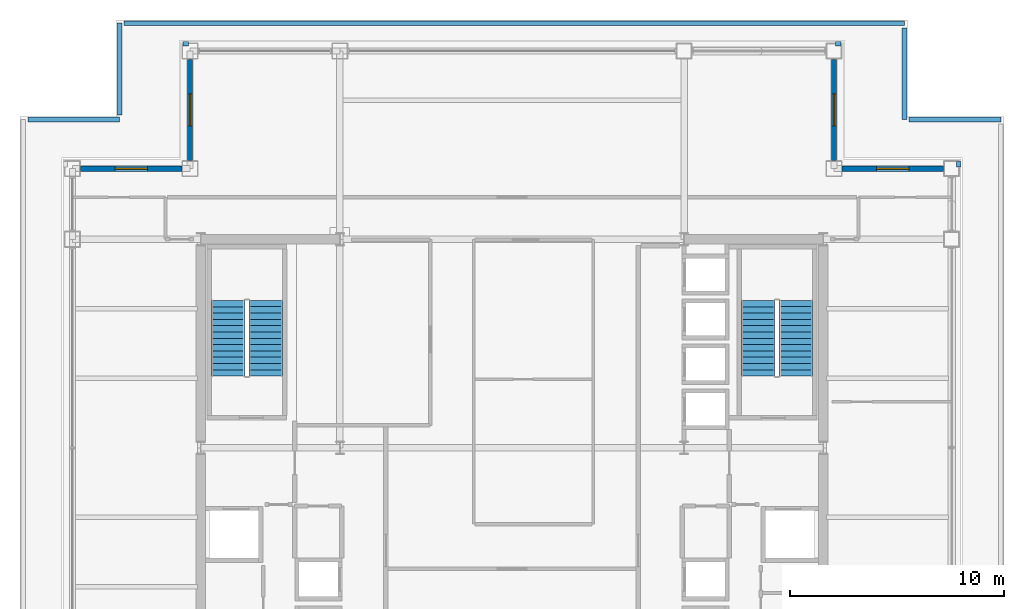
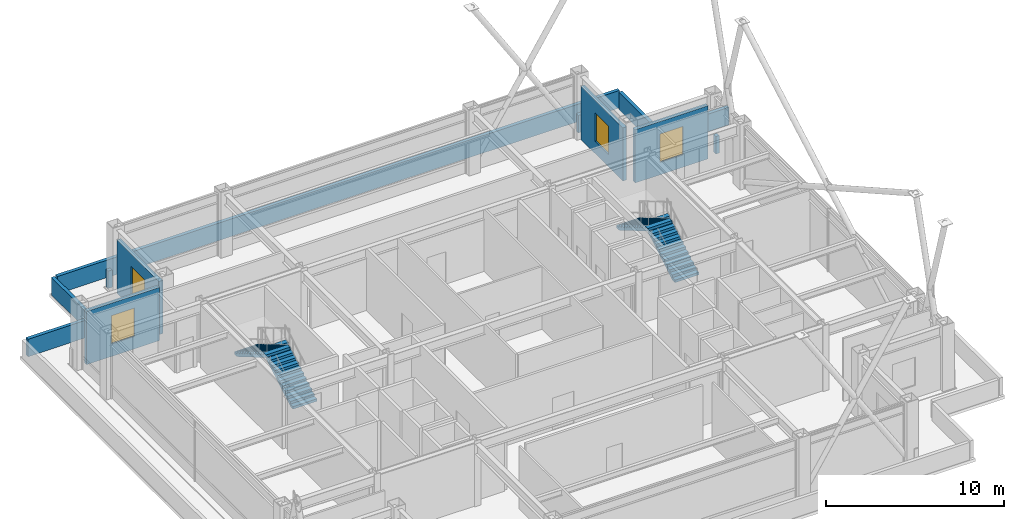
# One storey, part 23 of 24: 12 walls, 4 stair flights, 4 windows, 4 openings, 2 elements without a shape of their own.
"""IFC4 building model written with IfcOpenShell, lengths in metres."""

from ifc_helpers import new_model, si_unit, direction, frame, frame_2d, origin, place, context, subcontext, project, spatial, polyline, rectangle, outline, extrude, material, layer, layer_set, type_object, element, fill, aggregate, save


model = new_model("IFC4")

# Units and contexts
model_context = context("Model", 3, precision=1e-05, world=origin(), true_north=direction((0.0, 1.0)))
body_context = subcontext(model_context, "Body", "Model", "MODEL_VIEW")
ifc_project = project(units=[si_unit("LENGTHUNIT", "METRE"), si_unit("AREAUNIT", "SQUARE_METRE"), si_unit("VOLUMEUNIT", "CUBIC_METRE"), si_unit("PLANEANGLEUNIT", "RADIAN"), si_unit("MASSUNIT", "GRAM", prefix="KILO")], contexts=[model_context])

# Site, building, storey
site_placement = place(None, origin())
site = spatial("IfcSite", under=ifc_project, at=site_placement, CompositionType="ELEMENT")
building_placement = place(site_placement, origin())
building = spatial("IfcBuilding", under=site, at=building_placement, Name="Brelmoor Portico Tower", CompositionType="ELEMENT")
storey_placement = place(building_placement, frame((0.0, 0.0, 150.60009765625)))
storey = spatial("IfcBuildingStorey", under=building, at=storey_placement, Name="L39", CompositionType="ELEMENT", Elevation=150.60009765625)

# Wall, opening, window
ifc_material_1 = material(Name="Precast Concrete C40 Insulated Facade Wall", Category="concrete")
ifc_layer_1 = layer(ifc_material_1, 0.25)
ifc_layer_set_1 = layer_set([ifc_layer_1], Name="Precast Concrete C40 Insulated Facade Wall")
wall_type_1 = type_object("IfcWallType", Name="WL-EXT-250", PredefinedType="STANDARD", material=ifc_layer_set_1)
wall_1_placement = place(storey_placement, frame((-20.1650390625, 13.050048828125, 0.0), z_axis=(0.0, 0.0, 1.0), x_axis=(1.0, 0.0, 0.0)))
wall_1 = element("IfcWall", 1, at=wall_1_placement, inside=storey, type_object=wall_type_1, Name="L39 Corner Notch Facade Wall NNWH1", PredefinedType="STANDARD", context=body_context, shape_type="SweptSolid", body=[
    extrude(rectangle(XDim=4.72998046875, YDim=0.25, at=frame_2d((2.364990234375, 0.0))), origin(), (0.0, 0.0, 1.0), 3.64990234375),
])
opening_1_placement = place(wall_1_placement, frame((1.614990234375, 0.0, 0.85009765625)))
opening_1 = element("IfcOpeningElement", 2, at=opening_1_placement, cuts=wall_1, Name="Opening W-01B", PredefinedType="OPENING", context=body_context, shape_type="SweptSolid", body=[
    extrude(rectangle(XDim=1.5, YDim=1.949951171875, at=frame_2d((0.75, 0.97509765625))), frame((0.0, 0.135009765625, 0.0), z_axis=(0.0, -1.0, 0.0), x_axis=(1.0, 0.0, 0.0)), (0.0, 0.0, 1.0), 0.27001953125),
])
ifc_material_2 = material(Name="Thermally Broken Aluminium Low-E Window", Category="aluminium")
window_type = type_object("IfcWindowType", Name="WN-NOTCH-1500x1950", PartitioningType="SINGLE_PANEL", PredefinedType="WINDOW", material=ifc_material_2)
window_1_placement = place(opening_1_placement, origin())
window_1 = element("IfcWindow", 3, at=window_1_placement, inside=storey, type_object=window_type, Name="L39 Corner Notch Window NNWH1", OverallHeight=1.949951171875, OverallWidth=1.5, PartitioningType="SINGLE_PANEL", PredefinedType="WINDOW", context=body_context, shape_type="SweptSolid", body=[
    extrude(rectangle(XDim=1.5, YDim=1.949951171875, at=frame_2d((0.75, 0.97509765625))), frame((0.0, 0.030029296875, 0.0), z_axis=(0.0, -1.0, 0.0), x_axis=(1.0, 0.0, 0.0)), (0.0, 0.0, 1.0), 0.06005859375),
])
fill(opening_1, window_1)

wall_2_placement = place(storey_placement, frame((-15.050048828125, 13.43505859375, 0.0), z_axis=(0.0, 0.0, 1.0), x_axis=(0.0, 1.0, 0.0)))
wall_2 = element("IfcWall", 4, at=wall_2_placement, inside=storey, type_object=wall_type_1, Name="L39 Corner Notch Facade Wall NNWV1", PredefinedType="STANDARD", context=body_context, shape_type="SweptSolid", body=[
    extrude(rectangle(XDim=4.72998046875, YDim=0.25, at=frame_2d((2.364990234375, 0.0))), origin(), (0.0, 0.0, 1.0), 3.64990234375),
])
opening_2_placement = place(wall_2_placement, frame((1.614990234375, 0.0, 0.85009765625)))
opening_2 = element("IfcOpeningElement", 5, at=opening_2_placement, cuts=wall_2, Name="Opening W-01B", PredefinedType="OPENING", context=body_context, shape_type="SweptSolid", body=[
    extrude(rectangle(XDim=1.5, YDim=1.949951171875, at=frame_2d((0.75, 0.97509765625))), frame((0.0, 0.135009765625, 0.0), z_axis=(0.0, -1.0, 0.0), x_axis=(1.0, 0.0, 0.0)), (0.0, 0.0, 1.0), 0.27001953125),
])
window_2_placement = place(opening_2_placement, origin())
window_2 = element("IfcWindow", 6, at=window_2_placement, inside=storey, type_object=window_type, Name="L39 Corner Notch Window NNWV1", OverallHeight=1.949951171875, OverallWidth=1.5, PartitioningType="SINGLE_PANEL", PredefinedType="WINDOW", context=body_context, shape_type="SweptSolid", body=[
    extrude(rectangle(XDim=1.5, YDim=1.949951171875, at=frame_2d((0.75, 0.97509765625))), frame((0.0, 0.030029296875, 0.0), z_axis=(0.0, -1.0, 0.0), x_axis=(1.0, 0.0, 0.0)), (0.0, 0.0, 1.0), 0.06005859375),
])
fill(opening_2, window_2)

wall_3_placement = place(storey_placement, frame((15.43505859375, 13.050048828125, 0.0), z_axis=(0.0, 0.0, 1.0), x_axis=(1.0, 0.0, 0.0)))
wall_3 = element("IfcWall", 7, at=wall_3_placement, inside=storey, type_object=wall_type_1, Name="L39 Corner Notch Facade Wall NNEH1", PredefinedType="STANDARD", context=body_context, shape_type="SweptSolid", body=[
    extrude(rectangle(XDim=4.72998046875, YDim=0.25, at=frame_2d((2.364990234375, 0.0))), origin(), (0.0, 0.0, 1.0), 3.64990234375),
])
opening_3_placement = place(wall_3_placement, frame((1.614990234375, 0.0, 0.85009765625)))
opening_3 = element("IfcOpeningElement", 8, at=opening_3_placement, cuts=wall_3, Name="Opening W-01B", PredefinedType="OPENING", context=body_context, shape_type="SweptSolid", body=[
    extrude(rectangle(XDim=1.5, YDim=1.949951171875, at=frame_2d((0.75, 0.97509765625))), frame((0.0, 0.135009765625, 0.0), z_axis=(0.0, -1.0, 0.0), x_axis=(1.0, 0.0, 0.0)), (0.0, 0.0, 1.0), 0.27001953125),
])
window_3_placement = place(opening_3_placement, origin())
window_3 = element("IfcWindow", 9, at=window_3_placement, inside=storey, type_object=window_type, Name="L39 Corner Notch Window NNEH1", OverallHeight=1.949951171875, OverallWidth=1.5, PartitioningType="SINGLE_PANEL", PredefinedType="WINDOW", context=body_context, shape_type="SweptSolid", body=[
    extrude(rectangle(XDim=1.5, YDim=1.949951171875, at=frame_2d((0.75, 0.97509765625))), frame((0.0, 0.030029296875, 0.0), z_axis=(0.0, -1.0, 0.0), x_axis=(1.0, 0.0, 0.0)), (0.0, 0.0, 1.0), 0.06005859375),
])
fill(opening_3, window_3)

wall_4_placement = place(storey_placement, frame((15.050048828125, 13.43505859375, 0.0), z_axis=(0.0, 0.0, 1.0), x_axis=(0.0, 1.0, 0.0)))
wall_4 = element("IfcWall", 10, at=wall_4_placement, inside=storey, type_object=wall_type_1, Name="L39 Corner Notch Facade Wall NNEV1", PredefinedType="STANDARD", context=body_context, shape_type="SweptSolid", body=[
    extrude(rectangle(XDim=4.72998046875, YDim=0.25, at=frame_2d((2.364990234375, 0.0))), origin(), (0.0, 0.0, 1.0), 3.64990234375),
])
opening_4_placement = place(wall_4_placement, frame((1.614990234375, 0.0, 0.85009765625)))
opening_4 = element("IfcOpeningElement", 11, at=opening_4_placement, cuts=wall_4, Name="Opening W-01B", PredefinedType="OPENING", context=body_context, shape_type="SweptSolid", body=[
    extrude(rectangle(XDim=1.5, YDim=1.949951171875, at=frame_2d((0.75, 0.97509765625))), frame((0.0, 0.135009765625, 0.0), z_axis=(0.0, -1.0, 0.0), x_axis=(1.0, 0.0, 0.0)), (0.0, 0.0, 1.0), 0.27001953125),
])
window_4_placement = place(opening_4_placement, origin())
window_4 = element("IfcWindow", 12, at=window_4_placement, inside=storey, type_object=window_type, Name="L39 Corner Notch Window NNEV1", OverallHeight=1.949951171875, OverallWidth=1.5, PartitioningType="SINGLE_PANEL", PredefinedType="WINDOW", context=body_context, shape_type="SweptSolid", body=[
    extrude(rectangle(XDim=1.5, YDim=1.949951171875, at=frame_2d((0.75, 0.97509765625))), frame((0.0, 0.030029296875, 0.0), z_axis=(0.0, -1.0, 0.0), x_axis=(1.0, 0.0, 0.0)), (0.0, 0.0, 1.0), 0.06005859375),
])
fill(opening_4, window_4)

# Walls
ifc_material_3 = material(Name="Concrete C40 Parapet Upstand", Category="concrete")
ifc_layer_2 = layer(ifc_material_3, 0.219970703125)
ifc_layer_set_2 = layer_set([ifc_layer_2], Name="Concrete C40 Parapet Upstand")
wall_type_2 = type_object("IfcWallType", Name="WL-PARAPET-220", PredefinedType="PARAPET", material=ifc_layer_set_2)
for number, where, z_axis, x_axis, name in (
    (13, (-15.389892578125, 18.889892578125, 0.0), (0.0, 0.0, 1.0), (1.0, 0.0, 0.0), "L39 Chamfer Vertex Parapet Pier NW1"),
    (14, (15.1201171875, 18.889892578125, 0.0), (0.0, 0.0, 1.0), (1.0, 0.0, 0.0), "L39 Chamfer Vertex Parapet Pier NE1"),
    (15, (20.889892578125, 13.1201171875, 0.0), (0.0, 0.0, 1.0), (0.0, 1.0, 0.0), "L39 Chamfer Vertex Parapet Pier NE2"),
):
    element("IfcWall", number, at=place(storey_placement, frame(where, z_axis=z_axis, x_axis=x_axis)), inside=storey, type_object=wall_type_2, Name=name, PredefinedType="PARAPET", context=body_context, shape_type="SweptSolid", body=[
        extrude(rectangle(XDim=0.269775390625, YDim=0.219970703125, at=frame_2d((0.134765625, 0.0))), origin(), (0.0, 0.0, 1.0), 1.199951171875),
    ])
wall_5_placement = place(storey_placement, frame((22.85009765625, 15.35009765625, 0.0), z_axis=(0.0, 0.0, 1.0), x_axis=(-1.0, 0.0, 0.0)))
element("IfcWall", 16, at=wall_5_placement, inside=storey, type_object=wall_type_2, Name="L39 Roof Parapet Wall 05", PredefinedType="PARAPET", context=body_context, shape_type="SweptSolid", body=[
    extrude(rectangle(XDim=4.280029296875, YDim=0.219970703125, at=frame_2d((2.14013671875, 0.0))), origin(), (0.0, 0.0, 1.0), 1.199951171875),
])
wall_6_placement = place(storey_placement, frame((18.35009765625, 15.35009765625, 0.0), z_axis=(0.0, 0.0, 1.0), x_axis=(0.0, 1.0, 0.0)))
element("IfcWall", 17, at=wall_6_placement, inside=storey, type_object=wall_type_2, Name="L39 Roof Parapet Wall 06", PredefinedType="PARAPET", context=body_context, shape_type="SweptSolid", body=[
    extrude(rectangle(XDim=4.27978515625, YDim=0.219970703125, at=frame_2d((2.139892578125, 0.0))), origin(), (0.0, 0.0, 1.0), 1.199951171875),
])
wall_7_placement = place(storey_placement, frame((18.35009765625, 19.85009765625, 0.0), z_axis=(0.0, 0.0, 1.0), x_axis=(-1.0, 0.0, 0.0)))
element("IfcWall", 18, at=wall_7_placement, inside=storey, type_object=wall_type_2, Name="L39 Roof Parapet Wall 07", PredefinedType="PARAPET", context=body_context, shape_type="SweptSolid", body=[
    extrude(rectangle(XDim=36.47998046875, YDim=0.219970703125, at=frame_2d((18.239990234375, 0.0))), origin(), (0.0, 0.0, 1.0), 1.199951171875),
])
wall_8_placement = place(storey_placement, frame((-18.35009765625, 19.85009765625, 0.0), z_axis=(0.0, 0.0, 1.0), x_axis=(0.0, -1.0, 0.0)))
element("IfcWall", 19, at=wall_8_placement, inside=storey, type_object=wall_type_2, Name="L39 Roof Parapet Wall 08", PredefinedType="PARAPET", context=body_context, shape_type="SweptSolid", body=[
    extrude(rectangle(XDim=4.280029296875, YDim=0.219970703125, at=frame_2d((2.14013671875, 0.0))), origin(), (0.0, 0.0, 1.0), 1.199951171875),
])
wall_9_placement = place(storey_placement, frame((-18.35009765625, 15.35009765625, 0.0), z_axis=(0.0, 0.0, 1.0), x_axis=(-1.0, 0.0, 0.0)))
element("IfcWall", 20, at=wall_9_placement, inside=storey, type_object=wall_type_2, Name="L39 Roof Parapet Wall 09", PredefinedType="PARAPET", context=body_context, shape_type="SweptSolid", body=[
    extrude(rectangle(XDim=4.27978515625, YDim=0.219970703125, at=frame_2d((2.139892578125, 0.0))), origin(), (0.0, 0.0, 1.0), 1.199951171875),
])

# Stair, stair flights
ifc_material_4 = material(Name="Concrete C40", Category="concrete")
stair_type_1 = type_object("IfcStairType", Name="ST-CORE-W", PredefinedType="HALF_TURN_STAIR", material=ifc_material_4)
stair_1_placement = place(storey_placement, origin())
stair_1 = element("IfcStair", 21, at=stair_1_placement, inside=storey, type_object=stair_type_1, Name="L39 Protected Core Exit Stair ST-W", PredefinedType="HALF_TURN_STAIR")
stair_flight_type = type_object("IfcStairFlightType", Name="SF-CORE-1850", PredefinedType="STRAIGHT", material=ifc_material_4)
stair_flight_1_placement = place(storey_placement, frame((-11.510009765625, 3.35009765625, 0.0), z_axis=(0.0, 0.0, 1.0), x_axis=(0.0, 1.0, 0.0)))
stair_flight_1 = element("IfcStairFlight", 22, at=stair_flight_1_placement, type_object=stair_flight_type, Name="ST-W flight 1", NumberOfRisers=13, NumberOfTreads=12, PredefinedType="STRAIGHT", RiserHeight=0.173076923, TreadLength=0.295, context=body_context, shape_type="SweptSolid", body=[
    extrude(outline(polyline([(0.0, 0.0), (0.0, 0.173095703125), (0.294921875, 0.173095703125), (0.294921875, 0.34619140625), (0.590087890625, 0.34619140625), (0.590087890625, 0.519287109375), (0.885009765625, 0.519287109375), (0.885009765625, 0.6923828125), (1.179931640625, 0.6923828125), (1.179931640625, 0.865478515625), (1.47509765625, 0.865478515625), (1.47509765625, 1.03857421875), (1.77001953125, 1.03857421875), (1.77001953125, 1.21142578125), (2.06494140625, 1.21142578125), (2.06494140625, 1.384521484375), (2.360107421875, 1.384521484375), (2.360107421875, 1.5576171875), (2.655029296875, 1.5576171875), (2.655029296875, 1.730712890625), (2.949951171875, 1.730712890625), (2.949951171875, 1.90380859375), (3.2451171875, 1.90380859375), (3.2451171875, 2.076904296875), (3.5400390625, 2.076904296875), (3.5400390625, 2.25), (3.5400390625, 1.903076171875), (0.296142578125, 0.0), (0.0, 0.0)])), frame((0.0, 0.780029296875, 0.0), z_axis=(0.0, -1.0, 0.0), x_axis=(1.0, 0.0, 0.0)), (0.0, 0.0, 1.0), 1.56005859375),
])
stair_flight_2_placement = place(storey_placement, frame((-13.27001953125, 6.889892578125, 2.25), z_axis=(0.0, 0.0, 1.0), x_axis=(0.0, -1.0, 0.0)))
stair_flight_2 = element("IfcStairFlight", 23, at=stair_flight_2_placement, type_object=stair_flight_type, Name="ST-W flight 2", NumberOfRisers=13, NumberOfTreads=12, PredefinedType="STRAIGHT", RiserHeight=0.173076923, TreadLength=0.295, context=body_context, shape_type="SweptSolid", body=[
    extrude(outline(polyline([(0.0, 0.0), (0.0, 0.173095703125), (0.294921875, 0.173095703125), (0.294921875, 0.34619140625), (0.590087890625, 0.34619140625), (0.590087890625, 0.519287109375), (0.885009765625, 0.519287109375), (0.885009765625, 0.6923828125), (1.179931640625, 0.6923828125), (1.179931640625, 0.865478515625), (1.47509765625, 0.865478515625), (1.47509765625, 1.03857421875), (1.77001953125, 1.03857421875), (1.77001953125, 1.21142578125), (2.06494140625, 1.21142578125), (2.06494140625, 1.384521484375), (2.360107421875, 1.384521484375), (2.360107421875, 1.5576171875), (2.655029296875, 1.5576171875), (2.655029296875, 1.730712890625), (2.949951171875, 1.730712890625), (2.949951171875, 1.90380859375), (3.2451171875, 1.90380859375), (3.2451171875, 2.076904296875), (3.5400390625, 2.076904296875), (3.5400390625, 2.25), (3.5400390625, 1.903076171875), (0.296142578125, 0.0), (0.0, 0.0)])), frame((0.0, 0.780029296875, 0.0), z_axis=(0.0, -1.0, 0.0), x_axis=(1.0, 0.0, 0.0)), (0.0, 0.0, 1.0), 1.56005859375),
])
aggregate(stair_1, [stair_flight_1, stair_flight_2])

stair_type_2 = type_object("IfcStairType", Name="ST-CORE-E", PredefinedType="HALF_TURN_STAIR", material=ifc_material_4)
stair_2_placement = place(storey_placement, origin())
stair_2 = element("IfcStair", 24, at=stair_2_placement, inside=storey, type_object=stair_type_2, Name="L39 Protected Core Exit Stair ST-E", PredefinedType="HALF_TURN_STAIR")
stair_flight_3_placement = place(storey_placement, frame((13.27001953125, 3.35009765625, 0.0), z_axis=(0.0, 0.0, 1.0), x_axis=(0.0, 1.0, 0.0)))
stair_flight_3 = element("IfcStairFlight", 25, at=stair_flight_3_placement, type_object=stair_flight_type, Name="ST-E flight 1", NumberOfRisers=13, NumberOfTreads=12, PredefinedType="STRAIGHT", RiserHeight=0.173076923, TreadLength=0.295, context=body_context, shape_type="SweptSolid", body=[
    extrude(outline(polyline([(0.0, 0.0), (0.0, 0.173095703125), (0.294921875, 0.173095703125), (0.294921875, 0.34619140625), (0.590087890625, 0.34619140625), (0.590087890625, 0.519287109375), (0.885009765625, 0.519287109375), (0.885009765625, 0.6923828125), (1.179931640625, 0.6923828125), (1.179931640625, 0.865478515625), (1.47509765625, 0.865478515625), (1.47509765625, 1.03857421875), (1.77001953125, 1.03857421875), (1.77001953125, 1.21142578125), (2.06494140625, 1.21142578125), (2.06494140625, 1.384521484375), (2.360107421875, 1.384521484375), (2.360107421875, 1.5576171875), (2.655029296875, 1.5576171875), (2.655029296875, 1.730712890625), (2.949951171875, 1.730712890625), (2.949951171875, 1.90380859375), (3.2451171875, 1.90380859375), (3.2451171875, 2.076904296875), (3.5400390625, 2.076904296875), (3.5400390625, 2.25), (3.5400390625, 1.903076171875), (0.296142578125, 0.0), (0.0, 0.0)])), frame((0.0, 0.780029296875, 0.0), z_axis=(0.0, -1.0, 0.0), x_axis=(1.0, 0.0, 0.0)), (0.0, 0.0, 1.0), 1.56005859375),
])
stair_flight_4_placement = place(storey_placement, frame((11.510009765625, 6.889892578125, 2.25), z_axis=(0.0, 0.0, 1.0), x_axis=(0.0, -1.0, 0.0)))
stair_flight_4 = element("IfcStairFlight", 26, at=stair_flight_4_placement, type_object=stair_flight_type, Name="ST-E flight 2", NumberOfRisers=13, NumberOfTreads=12, PredefinedType="STRAIGHT", RiserHeight=0.173076923, TreadLength=0.295, context=body_context, shape_type="SweptSolid", body=[
    extrude(outline(polyline([(0.0, 0.0), (0.0, 0.173095703125), (0.294921875, 0.173095703125), (0.294921875, 0.34619140625), (0.590087890625, 0.34619140625), (0.590087890625, 0.519287109375), (0.885009765625, 0.519287109375), (0.885009765625, 0.6923828125), (1.179931640625, 0.6923828125), (1.179931640625, 0.865478515625), (1.47509765625, 0.865478515625), (1.47509765625, 1.03857421875), (1.77001953125, 1.03857421875), (1.77001953125, 1.21142578125), (2.06494140625, 1.21142578125), (2.06494140625, 1.384521484375), (2.360107421875, 1.384521484375), (2.360107421875, 1.5576171875), (2.655029296875, 1.5576171875), (2.655029296875, 1.730712890625), (2.949951171875, 1.730712890625), (2.949951171875, 1.90380859375), (3.2451171875, 1.90380859375), (3.2451171875, 2.076904296875), (3.5400390625, 2.076904296875), (3.5400390625, 2.25), (3.5400390625, 1.903076171875), (0.296142578125, 0.0), (0.0, 0.0)])), frame((0.0, 0.780029296875, 0.0), z_axis=(0.0, -1.0, 0.0), x_axis=(1.0, 0.0, 0.0)), (0.0, 0.0, 1.0), 1.56005859375),
])
aggregate(stair_2, [stair_flight_3, stair_flight_4])

save(model, "model.ifc")
